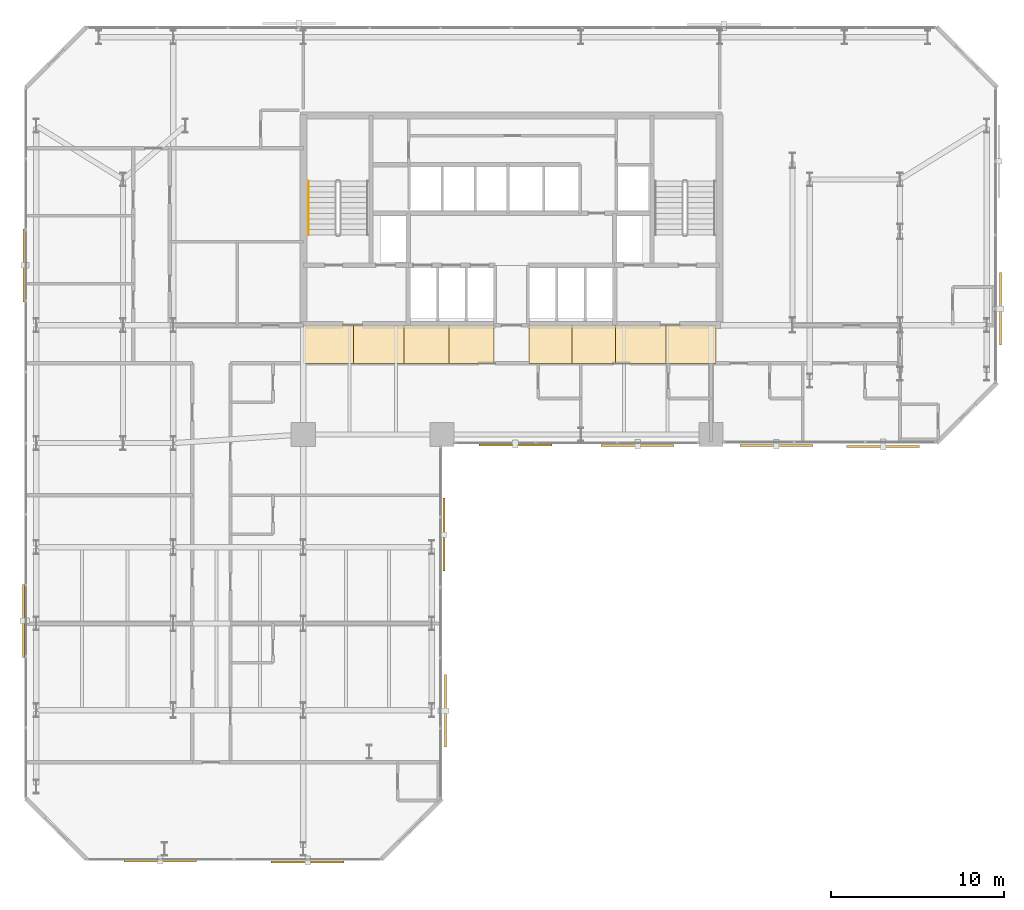
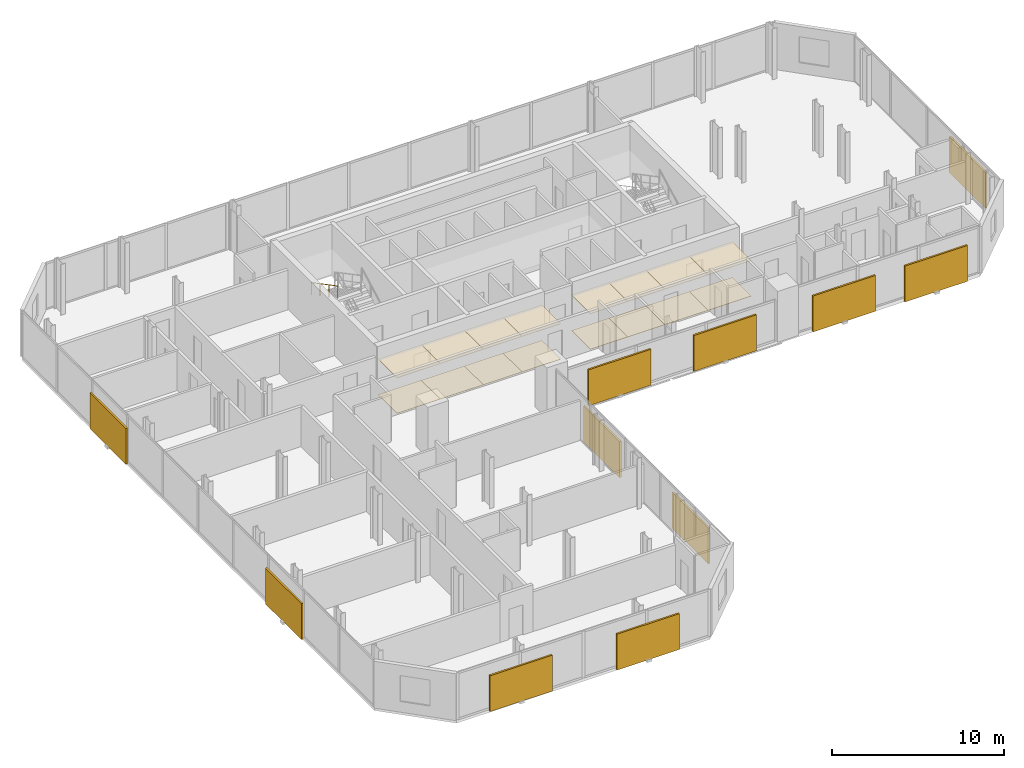
# One storey, part 32 of 33: 16 coverings, 11 shading devices, 1 railing.
"""IFC4 building model written with IfcOpenShell, lengths in metres."""

from ifc_helpers import new_model, si_unit, direction, frame, origin, origin_2d, place, context, subcontext, project, spatial, polyline, rectangle, circle, outline, extrude, material, layer, layer_set, type_object, element, save


model = new_model("IFC4")

# Units and contexts
model_context = context("Model", 3, precision=1e-05, world=origin(), true_north=direction((0.0, 1.0)))
body_context = subcontext(model_context, "Body", "Model", "MODEL_VIEW")
ifc_project = project(units=[si_unit("LENGTHUNIT", "METRE"), si_unit("AREAUNIT", "SQUARE_METRE"), si_unit("VOLUMEUNIT", "CUBIC_METRE"), si_unit("PLANEANGLEUNIT", "RADIAN"), si_unit("MASSUNIT", "GRAM", prefix="KILO")], contexts=[model_context])

# Site, building, storey
site_placement = place(None, origin())
site = spatial("IfcSite", under=ifc_project, at=site_placement, CompositionType="ELEMENT")
building_placement = place(site_placement, origin())
building = spatial("IfcBuilding", under=site, at=building_placement, Name="Catumbela Crestline Tower", CompositionType="ELEMENT")
storey_placement = place(building_placement, frame((0.0, 0.0, 58.2)))
storey = spatial("IfcBuildingStorey", under=building, at=storey_placement, Name="L14", CompositionType="ELEMENT", Elevation=58.2)

# Coverings
ifc_material_1 = material(Name="Mineral-fibre acoustic ceiling")
ifc_layer_1 = layer(ifc_material_1, 0.03, Name="Mineral-fibre acoustic ceiling")
ifc_layer_set_1 = layer_set([ifc_layer_1], Name="Mineral-fibre acoustic ceiling")
covering_type_1 = type_object("IfcCoveringType", Name="CC-AC", PredefinedType="CEILING", material=ifc_layer_set_1)
covering_1_placement = place(storey_placement, frame((0.0, 0.0, 2.52)))
element("IfcCovering", 1, at=covering_1_placement, inside=storey, type_object=covering_type_1, Name="L14 Corridor Acoustic Ceiling Bay 1", PredefinedType="CEILING", context=body_context, shape_type="SweptSolid", body=[
    extrude(outline(polyline([(16.0, 28.6), (18.9, 28.6), (18.9, 30.8), (16.0, 30.8), (16.0, 28.6)])), origin(), (0.0, 0.0, 1.0), 0.03),
])
covering_2_placement = place(storey_placement, frame((0.0, 0.0, 2.52)))
element("IfcCovering", 2, at=covering_2_placement, inside=storey, type_object=covering_type_1, Name="L14 Corridor Acoustic Ceiling Bay 2", PredefinedType="CEILING", context=body_context, shape_type="SweptSolid", body=[
    extrude(outline(polyline([(18.9, 28.6), (21.8, 28.6), (21.8, 30.8), (18.9, 30.8), (18.9, 28.6)])), origin(), (0.0, 0.0, 1.0), 0.03),
])
covering_3_placement = place(storey_placement, frame((0.0, 0.0, 2.52)))
element("IfcCovering", 3, at=covering_3_placement, inside=storey, type_object=covering_type_1, Name="L14 Corridor Acoustic Ceiling Bay 3", PredefinedType="CEILING", context=body_context, shape_type="SweptSolid", body=[
    extrude(outline(polyline([(21.8, 28.6), (24.4, 28.6), (24.4, 30.8), (21.8, 30.8), (21.8, 28.6)])), origin(), (0.0, 0.0, 1.0), 0.03),
])
covering_4_placement = place(storey_placement, frame((0.0, 0.0, 2.52)))
element("IfcCovering", 4, at=covering_4_placement, inside=storey, type_object=covering_type_1, Name="L14 Corridor Acoustic Ceiling Bay 4", PredefinedType="CEILING", context=body_context, shape_type="SweptSolid", body=[
    extrude(outline(polyline([(24.4, 28.6), (27.0, 28.6), (27.0, 30.8), (24.4, 30.8), (24.4, 28.6)])), origin(), (0.0, 0.0, 1.0), 0.03),
])
covering_5_placement = place(storey_placement, frame((0.0, 0.0, 2.52)))
element("IfcCovering", 5, at=covering_5_placement, inside=storey, type_object=covering_type_1, Name="L14 Corridor Acoustic Ceiling Bay 5", PredefinedType="CEILING", context=body_context, shape_type="SweptSolid", body=[
    extrude(outline(polyline([(29.0, 28.6), (31.5, 28.6), (31.5, 30.8), (29.0, 30.8), (29.0, 28.6)])), origin(), (0.0, 0.0, 1.0), 0.03),
])
covering_6_placement = place(storey_placement, frame((0.0, 0.0, 2.52)))
element("IfcCovering", 6, at=covering_6_placement, inside=storey, type_object=covering_type_1, Name="L14 Corridor Acoustic Ceiling Bay 6", PredefinedType="CEILING", context=body_context, shape_type="SweptSolid", body=[
    extrude(outline(polyline([(31.5, 28.6), (34.0, 28.6), (34.0, 30.8), (31.5, 30.8), (31.5, 28.6)])), origin(), (0.0, 0.0, 1.0), 0.03),
])
covering_7_placement = place(storey_placement, frame((0.0, 0.0, 2.52)))
element("IfcCovering", 7, at=covering_7_placement, inside=storey, type_object=covering_type_1, Name="L14 Corridor Acoustic Ceiling Bay 7", PredefinedType="CEILING", context=body_context, shape_type="SweptSolid", body=[
    extrude(outline(polyline([(34.0, 28.6), (36.9, 28.6), (36.9, 30.8), (34.0, 30.8), (34.0, 28.6)])), origin(), (0.0, 0.0, 1.0), 0.03),
])
covering_8_placement = place(storey_placement, frame((0.0, 0.0, 2.52)))
element("IfcCovering", 8, at=covering_8_placement, inside=storey, type_object=covering_type_1, Name="L14 Corridor Acoustic Ceiling Bay 8", PredefinedType="CEILING", context=body_context, shape_type="SweptSolid", body=[
    extrude(outline(polyline([(36.9, 28.6), (39.8, 28.6), (39.8, 30.8), (36.9, 30.8), (36.9, 28.6)])), origin(), (0.0, 0.0, 1.0), 0.03),
])
ifc_material_2 = material(Name="Angolan grey-ochre granite", Category="masonry")
ifc_layer_2 = layer(ifc_material_2, 0.025, Name="Angolan grey-ochre granite")
ifc_layer_set_2 = layer_set([ifc_layer_2], Name="Angolan grey-ochre granite")
covering_type_2 = type_object("IfcCoveringType", Name="CF-GR", PredefinedType="FLOORING", material=ifc_layer_set_2)
covering_9_placement = place(storey_placement, origin())
element("IfcCovering", 9, at=covering_9_placement, inside=storey, type_object=covering_type_2, Name="L14 Corridor Granite Flooring Bay 1", PredefinedType="FLOORING", context=body_context, shape_type="SweptSolid", body=[
    extrude(outline(polyline([(16.0, 28.6), (18.9, 28.6), (18.9, 30.8), (16.0, 30.8), (16.0, 28.6)])), origin(), (0.0, 0.0, 1.0), 0.025),
])
covering_10_placement = place(storey_placement, origin())
element("IfcCovering", 10, at=covering_10_placement, inside=storey, type_object=covering_type_2, Name="L14 Corridor Granite Flooring Bay 2", PredefinedType="FLOORING", context=body_context, shape_type="SweptSolid", body=[
    extrude(outline(polyline([(18.9, 28.6), (21.8, 28.6), (21.8, 30.8), (18.9, 30.8), (18.9, 28.6)])), origin(), (0.0, 0.0, 1.0), 0.025),
])
covering_11_placement = place(storey_placement, origin())
element("IfcCovering", 11, at=covering_11_placement, inside=storey, type_object=covering_type_2, Name="L14 Corridor Granite Flooring Bay 3", PredefinedType="FLOORING", context=body_context, shape_type="SweptSolid", body=[
    extrude(outline(polyline([(21.8, 28.6), (24.4, 28.6), (24.4, 30.8), (21.8, 30.8), (21.8, 28.6)])), origin(), (0.0, 0.0, 1.0), 0.025),
])
covering_12_placement = place(storey_placement, origin())
element("IfcCovering", 12, at=covering_12_placement, inside=storey, type_object=covering_type_2, Name="L14 Corridor Granite Flooring Bay 4", PredefinedType="FLOORING", context=body_context, shape_type="SweptSolid", body=[
    extrude(outline(polyline([(24.4, 28.6), (27.0, 28.6), (27.0, 30.8), (24.4, 30.8), (24.4, 28.6)])), origin(), (0.0, 0.0, 1.0), 0.025),
])
covering_13_placement = place(storey_placement, origin())
element("IfcCovering", 13, at=covering_13_placement, inside=storey, type_object=covering_type_2, Name="L14 Corridor Granite Flooring Bay 5", PredefinedType="FLOORING", context=body_context, shape_type="SweptSolid", body=[
    extrude(outline(polyline([(29.0, 28.6), (31.5, 28.6), (31.5, 30.8), (29.0, 30.8), (29.0, 28.6)])), origin(), (0.0, 0.0, 1.0), 0.025),
])
covering_14_placement = place(storey_placement, origin())
element("IfcCovering", 14, at=covering_14_placement, inside=storey, type_object=covering_type_2, Name="L14 Corridor Granite Flooring Bay 6", PredefinedType="FLOORING", context=body_context, shape_type="SweptSolid", body=[
    extrude(outline(polyline([(31.5, 28.6), (34.0, 28.6), (34.0, 30.8), (31.5, 30.8), (31.5, 28.6)])), origin(), (0.0, 0.0, 1.0), 0.025),
])
covering_15_placement = place(storey_placement, origin())
element("IfcCovering", 15, at=covering_15_placement, inside=storey, type_object=covering_type_2, Name="L14 Corridor Granite Flooring Bay 7", PredefinedType="FLOORING", context=body_context, shape_type="SweptSolid", body=[
    extrude(outline(polyline([(34.0, 28.6), (36.9, 28.6), (36.9, 30.8), (34.0, 30.8), (34.0, 28.6)])), origin(), (0.0, 0.0, 1.0), 0.025),
])
covering_16_placement = place(storey_placement, origin())
element("IfcCovering", 16, at=covering_16_placement, inside=storey, type_object=covering_type_2, Name="L14 Corridor Granite Flooring Bay 8", PredefinedType="FLOORING", context=body_context, shape_type="SweptSolid", body=[
    extrude(outline(polyline([(36.9, 28.6), (39.8, 28.6), (39.8, 30.8), (36.9, 30.8), (36.9, 28.6)])), origin(), (0.0, 0.0, 1.0), 0.025),
])

# Railing
ifc_material_3 = material(Name="Stainless steel EN 1.4401", Category="steel")
railing_type = type_object("IfcRailingType", Name="RH-0900", PredefinedType="HANDRAIL", material=ifc_material_3)
railing_placement = place(storey_placement, frame((16.3, 39.1, 1.9636)))
element("IfcRailing", 17, at=railing_placement, inside=storey, type_object=railing_type, Name="L14 ST-01 stair handrail 2", PredefinedType="HANDRAIL", context=body_context, shape_type="SweptSolid", body=[
    extrude(circle(Radius=0.024, at=origin_2d()), frame((0.0, 0.0, 0.876), z_axis=(0.0, -0.884350731049, 0.466823076222), x_axis=(1.0, 0.0, 0.0)), (0.0, 0.0, 1.0), 3.5054),
    extrude(circle(Radius=0.021, at=origin_2d()), origin(), (0.0, 0.0, 1.0), 0.852),
    extrude(circle(Radius=0.021, at=origin_2d()), frame((0.0, -1.0333, 0.5455)), (0.0, 0.0, 1.0), 0.852),
    extrude(circle(Radius=0.021, at=origin_2d()), frame((0.0, -2.0667, 1.0909)), (0.0, 0.0, 1.0), 0.852),
    extrude(circle(Radius=0.021, at=origin_2d()), frame((0.0, -3.1, 1.6364)), (0.0, 0.0, 1.0), 0.852),
])

# Shading devices
ifc_material_4 = material(Name="Extruded terracotta ceramic", Category="masonry")
shading_device_type_1 = type_object("IfcShadingDeviceType", Name="ST-180", PredefinedType="USERDEFINED", material=ifc_material_4)
for number, where, z_axis, x_axis, name in (
    (18, (7.75, -0.099, -0.1), (0.0, 0.0, 1.0), (1.0, 0.0, 0.0), "L14 Perforated Terracotta Solar Screen 127 (180 mm)"),
    (19, (24.099, 18.725, -0.1), (0.0, 0.0, 1.0), (0.0, 1.0, 0.0), "L14 Perforated Terracotta Solar Screen 130 (180 mm)"),
    (20, (28.225, 23.901, -0.1), (0.0, 0.0, 1.0), (1.0, 0.0, 0.0), "L14 Perforated Terracotta Solar Screen 131 (180 mm)"),
    (21, (-0.099, 34.25, -0.1), (0.0, 0.0, 1.0), (0.0, -1.0, 0.0), "L14 Perforated Terracotta Solar Screen 139 (180 mm)"),
):
    element("IfcShadingDevice", number, at=place(storey_placement, frame(where, z_axis=z_axis, x_axis=x_axis)), inside=storey, type_object=shading_device_type_1, Name=name, ObjectType="SCREEN", PredefinedType="USERDEFINED", context=body_context, shape_type="SweptSolid", body=[
        extrude(rectangle(XDim=4.2, YDim=0.12, at=origin_2d()), origin(), (0.0, 0.0, 1.0), 2.55),
    ])
shading_device_type_2 = type_object("IfcShadingDeviceType", Name="ST-260", PredefinedType="USERDEFINED", material=ifc_material_4)
for number, where, z_axis, x_axis, name in (
    (22, (16.25, -0.143, -0.1), (0.0, 0.0, 1.0), (1.0, 0.0, 0.0), "L14 Perforated Terracotta Solar Screen 128 (260 mm)"),
    (23, (35.275, 23.857, -0.1), (0.0, 0.0, 1.0), (1.0, 0.0, 0.0), "L14 Perforated Terracotta Solar Screen 132 (260 mm)"),
    (24, (43.275, 23.857, -0.1), (0.0, 0.0, 1.0), (1.0, 0.0, 0.0), "L14 Perforated Terracotta Solar Screen 133 (260 mm)"),
    (25, (-0.143, 13.75, -0.1), (0.0, 0.0, 1.0), (0.0, -1.0, 0.0), "L14 Perforated Terracotta Solar Screen 140 (260 mm)"),
):
    element("IfcShadingDevice", number, at=place(storey_placement, frame(where, z_axis=z_axis, x_axis=x_axis)), inside=storey, type_object=shading_device_type_2, Name=name, ObjectType="SCREEN", PredefinedType="USERDEFINED", context=body_context, shape_type="SweptSolid", body=[
        extrude(rectangle(XDim=4.2, YDim=0.12, at=origin_2d()), origin(), (0.0, 0.0, 1.0), 2.55),
    ])
shading_device_type_3 = type_object("IfcShadingDeviceType", Name="ST-340", PredefinedType="USERDEFINED", material=ifc_material_4)
for number, where, z_axis, x_axis, name in (
    (26, (24.187, 8.575, -0.1), (0.0, 0.0, 1.0), (0.0, 1.0, 0.0), "L14 Perforated Terracotta Solar Screen 129 (340 mm)"),
    (27, (49.425, 23.813, -0.1), (0.0, 0.0, 1.0), (1.0, 0.0, 0.0), "L14 Perforated Terracotta Solar Screen 134 (340 mm)"),
    (28, (56.187, 31.75, -0.1), (0.0, 0.0, 1.0), (0.0, 1.0, 0.0), "L14 Perforated Terracotta Solar Screen 135 (340 mm)"),
):
    element("IfcShadingDevice", number, at=place(storey_placement, frame(where, z_axis=z_axis, x_axis=x_axis)), inside=storey, type_object=shading_device_type_3, Name=name, ObjectType="SCREEN", PredefinedType="USERDEFINED", context=body_context, shape_type="SweptSolid", body=[
        extrude(rectangle(XDim=4.2, YDim=0.12, at=origin_2d()), origin(), (0.0, 0.0, 1.0), 2.55),
    ])

save(model, "model.ifc")
